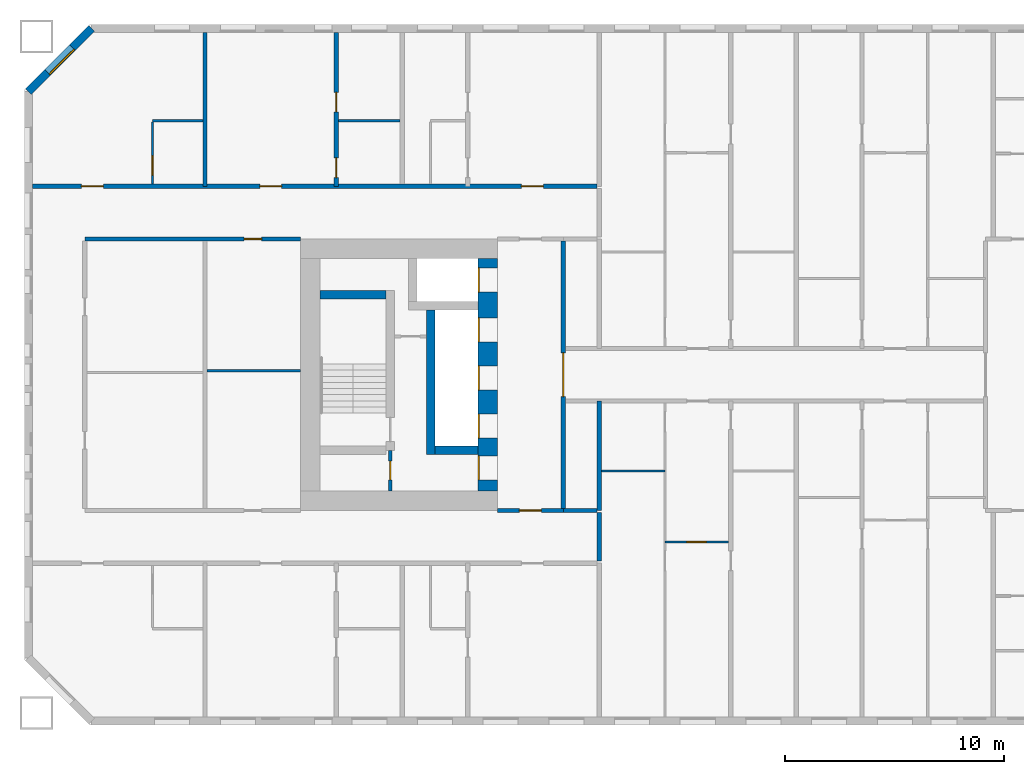
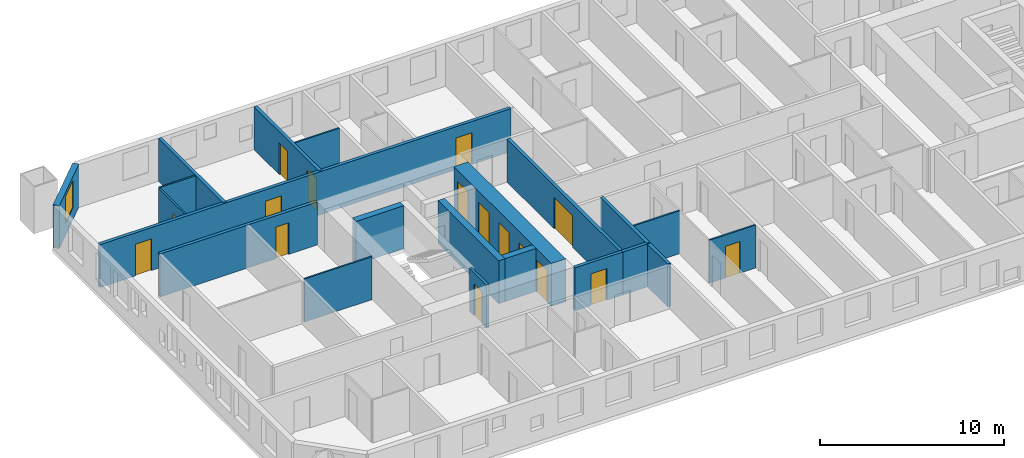
# One storey, part 4 of 17: 21 walls, 16 doors, 1 window, 17 openings.
"""IFC4 building model written with IfcOpenShell, lengths in metres."""

from ifc_helpers import new_model, si_unit, direction, frame, frame_2d, origin, place, context, subcontext, project, spatial, rectangle, extrude, material, layer, layer_set, type_object, element, fill, save


model = new_model("IFC4")

# Units and contexts
model_context = context("Model", 3, precision=1e-05, world=origin(), true_north=direction((0.0, 1.0)))
body_context = subcontext(model_context, "Body", "Model", "MODEL_VIEW")
ifc_project = project(units=[si_unit("LENGTHUNIT", "METRE"), si_unit("AREAUNIT", "SQUARE_METRE"), si_unit("VOLUMEUNIT", "CUBIC_METRE"), si_unit("PLANEANGLEUNIT", "RADIAN"), si_unit("MASSUNIT", "GRAM", prefix="KILO")], contexts=[model_context])

# Site, building, storey
site_placement = place(None, origin())
site = spatial("IfcSite", under=ifc_project, at=site_placement, CompositionType="ELEMENT")
building_placement = place(site_placement, origin())
building = spatial("IfcBuilding", under=site, at=building_placement, Name="Tuart Gate Housing", CompositionType="ELEMENT")
storey_placement = place(building_placement, frame((0.0, 0.0, 25.699951171875)))
storey = spatial("IfcBuildingStorey", under=building, at=storey_placement, Name="L06", CompositionType="ELEMENT", Elevation=25.699951171875)

# Wall, opening, window
ifc_material_1 = material(Name="Brick", Category="masonry")
ifc_layer_1 = layer(ifc_material_1, 0.360107421875)
ifc_layer_set_1 = layer_set([ifc_layer_1], Name="Brick pier and spandrel wall 360")
wall_type_1 = type_object("IfcWallType", Name="Brick pier and spandrel wall 360", PredefinedType="STANDARD", material=ifc_layer_set_1)
wall_1_placement = place(storey_placement, frame((22.82470703125, 85.820068359375, 0.0), z_axis=(0.0, 0.0, 1.0), x_axis=(-0.707106781187, -0.707106781187, 0.0)))
wall_1 = element("IfcWall", 1, at=wall_1_placement, inside=storey, type_object=wall_type_1, Name="External wall A-NW L06", PredefinedType="STANDARD", context=body_context, shape_type="SweptSolid", body=[
    extrude(rectangle(XDim=4.09375, YDim=0.360107421875, at=frame_2d((2.046875, 0.0))), origin(), (0.0, 0.0, 1.0), 2.85009765625),
])
opening_1_placement = place(wall_1_placement, frame((1.2470703125, 0.0, 0.800048828125)))
opening_1 = element("IfcOpeningElement", 2, at=opening_1_placement, cuts=wall_1, Name="Opening W1", PredefinedType="OPENING", context=body_context, shape_type="SweptSolid", body=[
    extrude(rectangle(XDim=1.60009765625, YDim=1.800048828125, at=frame_2d((0.800048828125, 0.89990234375))), frame((0.0, 0.18994140625, 0.0), z_axis=(0.0, -1.0, 0.0), x_axis=(1.0, 0.0, 0.0)), (0.0, 0.0, 1.0), 0.380126953125),
])
ifc_material_2 = material(Name="Aluminium frame with clear glass", Category="aluminium")
window_type = type_object("IfcWindowType", Name="Punched window 1600 x 1800", PartitioningType="SINGLE_PANEL", PredefinedType="WINDOW", material=ifc_material_2)
window_placement = place(opening_1_placement, origin())
window = element("IfcWindow", 3, at=window_placement, inside=storey, type_object=window_type, Name="Window W1", OverallHeight=1.800048828125, OverallWidth=1.60009765625, PartitioningType="SINGLE_PANEL", PredefinedType="WINDOW", context=body_context, shape_type="SweptSolid", body=[
    extrude(rectangle(XDim=1.60009765625, YDim=1.800048828125, at=frame_2d((0.800048828125, 0.89990234375))), frame((0.0, 0.150146484375, 0.0), z_axis=(0.0, -1.0, 0.0), x_axis=(1.0, 0.0, 0.0)), (0.0, 0.0, 1.0), 0.06005859375),
])
fill(opening_1, window)

# Wall, opening, door
ifc_material_3 = material(Name="Plasterboard partition")
ifc_layer_2 = layer(ifc_material_3, 0.14990234375)
ifc_layer_set_2 = layer_set([ifc_layer_2], Name="Core partition 150")
wall_type_2 = type_object("IfcWallType", Name="Core partition 150", PredefinedType="PARTITIONING", material=ifc_layer_set_2)
wall_2_placement = place(storey_placement, frame((36.4599609375, 66.550048828125, 0.0), z_axis=(0.0, 0.0, 1.0), x_axis=(0.0, -1.0, 0.0)))
wall_2 = element("IfcWall", 4, at=wall_2_placement, inside=storey, type_object=wall_type_2, Name="Core partition AK.9", PredefinedType="PARTITIONING", context=body_context, shape_type="SweptSolid", body=[
    extrude(rectangle(XDim=1.85009765625, YDim=0.14990234375, at=frame_2d((0.925048828125, 0.0))), origin(), (0.0, 0.0, 1.0), 2.85009765625),
])
opening_2_placement = place(wall_2_placement, frame((0.5, 0.0, 0.0)))
opening_2 = element("IfcOpeningElement", 5, at=opening_2_placement, cuts=wall_2, Name="Opening D382", PredefinedType="OPENING", context=body_context, shape_type="SweptSolid", body=[
    extrude(rectangle(XDim=0.85009765625, YDim=2.10009765625, at=frame_2d((0.425048828125, 1.050048828125))), frame((0.0, 0.0849609375, 0.0), z_axis=(0.0, -1.0, 0.0), x_axis=(1.0, 0.0, 0.0)), (0.0, 0.0, 1.0), 0.169921875),
])
ifc_material_4 = material(Name="Steel fire door", Category="steel")
door_type_1 = type_object("IfcDoorType", Name="Service door 850 x 2100 RH", OperationType="SINGLE_SWING_RIGHT", PredefinedType="DOOR", material=ifc_material_4)
door_1_placement = place(opening_2_placement, frame((0.85009765625, 0.0, 0.0), z_axis=(0.0, 0.0, 1.0), x_axis=(-1.0, 0.0, 0.0)))
door_1 = element("IfcDoor", 6, at=door_1_placement, inside=storey, type_object=door_type_1, Name="Service room door AK.ST", OperationType="SINGLE_SWING_RIGHT", OverallHeight=2.10009765625, OverallWidth=0.85009765625, PredefinedType="DOOR", context=body_context, shape_type="SweptSolid", body=[
    extrude(rectangle(XDim=0.85009765625, YDim=2.10009765625, at=frame_2d((0.425048828125, 1.050048828125))), frame((0.0, 0.025146484375, 0.0), z_axis=(0.0, -1.0, 0.0), x_axis=(1.0, 0.0, 0.0)), (0.0, 0.0, 1.0), 0.050048828125),
])
fill(opening_2, door_1)

# Walls
ifc_material_5 = material(Name="Concrete C60", Category="concrete")
ifc_layer_3 = layer(ifc_material_5, 0.39990234375)
ifc_layer_set_3 = layer_set([ifc_layer_3], Name="Core wall 400 C60")
wall_type_3 = type_object("IfcWallType", Name="Core wall 400 C60", PredefinedType="SHEAR", material=ifc_layer_set_3)
wall_3_placement = place(storey_placement, frame((36.260009765625, 73.64990234375, 0.0), z_axis=(0.0, 0.0, 1.0), x_axis=(-1.0, 0.0, 0.0)))
element("IfcWall", 7, at=wall_3_placement, inside=storey, type_object=wall_type_3, Name="Core wall AK.1", PredefinedType="SHEAR", context=body_context, shape_type="SweptSolid", body=[
    extrude(rectangle(XDim=3.0, YDim=0.39990234375, at=frame_2d((1.5, 0.0))), origin(), (0.0, 0.0, 1.0), 2.85009765625),
])
wall_4_placement = place(storey_placement, frame((40.4599609375, 66.550048828125, 0.0), z_axis=(0.0, 0.0, 1.0), x_axis=(-1.0, 0.0, 0.0)))
element("IfcWall", 8, at=wall_4_placement, inside=storey, type_object=wall_type_3, Name="Core wall AK.4", PredefinedType="SHEAR", context=body_context, shape_type="SweptSolid", body=[
    extrude(rectangle(XDim=1.949951171875, YDim=0.39990234375, at=frame_2d((0.97509765625, 0.0))), origin(), (0.0, 0.0, 1.0), 2.85009765625),
])
wall_5_placement = place(storey_placement, frame((38.31005859375, 72.949951171875, 0.0), z_axis=(0.0, 0.0, 1.0), x_axis=(0.0, -1.0, 0.0)))
element("IfcWall", 9, at=wall_5_placement, inside=storey, type_object=wall_type_3, Name="Core wall AK.6", PredefinedType="SHEAR", context=body_context, shape_type="SweptSolid", body=[
    extrude(rectangle(XDim=6.599853515625, YDim=0.39990234375, at=frame_2d((3.2998046875, 0.0))), origin(), (0.0, 0.0, 1.0), 2.85009765625),
])

# Wall, openings, doors
ifc_material_6 = material(Name="Concrete C60", Category="concrete")
ifc_layer_4 = layer(ifc_material_6, 0.89990234375)
ifc_layer_set_4 = layer_set([ifc_layer_4], Name="Core wall 900 C60")
wall_type_4 = type_object("IfcWallType", Name="Core wall 900 C60", PredefinedType="SHEAR", material=ifc_layer_set_4)
wall_6_placement = place(storey_placement, frame((40.909912109375, 75.300048828125, 0.0), z_axis=(0.0, 0.0, 1.0), x_axis=(0.0, -1.0, 0.0)))
wall_6 = element("IfcWall", 10, at=wall_6_placement, inside=storey, type_object=wall_type_4, Name="Core wall AK front", PredefinedType="SHEAR", context=body_context, shape_type="SweptSolid", body=[
    extrude(rectangle(XDim=10.60009765625, YDim=0.89990234375, at=frame_2d((5.300048828125, 0.0))), origin(), (0.0, 0.0, 1.0), 2.85009765625),
])
opening_3_placement = place(wall_6_placement, frame((0.425048828125, 0.0, 0.0)))
opening_3 = element("IfcOpeningElement", 11, at=opening_3_placement, cuts=wall_6, Name="Opening LD-FA2", PredefinedType="OPENING", context=body_context, shape_type="SweptSolid", body=[
    extrude(rectangle(XDim=1.10009765625, YDim=2.10009765625, at=frame_2d((0.550048828125, 1.050048828125))), frame((0.0, 0.4599609375, 0.0), z_axis=(0.0, -1.0, 0.0), x_axis=(1.0, 0.0, 0.0)), (0.0, 0.0, 1.0), 0.919921875),
])
opening_4_placement = place(wall_6_placement, frame((2.699951171875, 0.0, 0.0)))
opening_4 = element("IfcOpeningElement", 12, at=opening_4_placement, cuts=wall_6, Name="Opening LD-LA4", PredefinedType="OPENING", context=body_context, shape_type="SweptSolid", body=[
    extrude(rectangle(XDim=1.10009765625, YDim=2.10009765625, at=frame_2d((0.550048828125, 1.050048828125))), frame((0.0, 0.4599609375, 0.0), z_axis=(0.0, -1.0, 0.0), x_axis=(1.0, 0.0, 0.0)), (0.0, 0.0, 1.0), 0.919921875),
])
opening_5_placement = place(wall_6_placement, frame((4.89990234375, 0.0, 0.0)))
opening_5 = element("IfcOpeningElement", 13, at=opening_5_placement, cuts=wall_6, Name="Opening LD-LA5", PredefinedType="OPENING", context=body_context, shape_type="SweptSolid", body=[
    extrude(rectangle(XDim=1.10009765625, YDim=2.10009765625, at=frame_2d((0.550048828125, 1.050048828125))), frame((0.0, 0.4599609375, 0.0), z_axis=(0.0, -1.0, 0.0), x_axis=(1.0, 0.0, 0.0)), (0.0, 0.0, 1.0), 0.919921875),
])
opening_6_placement = place(wall_6_placement, frame((7.10009765625, 0.0, 0.0)))
opening_6 = element("IfcOpeningElement", 14, at=opening_6_placement, cuts=wall_6, Name="Opening LD-LA6", PredefinedType="OPENING", context=body_context, shape_type="SweptSolid", body=[
    extrude(rectangle(XDim=1.10009765625, YDim=2.10009765625, at=frame_2d((0.550048828125, 1.050048828125))), frame((0.0, 0.4599609375, 0.0), z_axis=(0.0, -1.0, 0.0), x_axis=(1.0, 0.0, 0.0)), (0.0, 0.0, 1.0), 0.919921875),
])
opening_7_placement = place(wall_6_placement, frame((9.0, 0.0, 0.0)))
opening_7 = element("IfcOpeningElement", 15, at=opening_7_placement, cuts=wall_6, Name="Opening D375", PredefinedType="OPENING", context=body_context, shape_type="SweptSolid", body=[
    extrude(rectangle(XDim=1.10009765625, YDim=2.10009765625, at=frame_2d((0.550048828125, 1.050048828125))), frame((0.0, 0.4599609375, 0.0), z_axis=(0.0, -1.0, 0.0), x_axis=(1.0, 0.0, 0.0)), (0.0, 0.0, 1.0), 0.919921875),
])
ifc_material_7 = material(Name="Stainless steel", Category="steel")
door_type_2 = type_object("IfcDoorType", Name="Landing door 1100 x 2100", OperationType="DOUBLE_DOOR_SLIDING", PredefinedType="DOOR", material=ifc_material_7)
door_2_placement = place(opening_3_placement, origin())
door_2 = element("IfcDoor", 16, at=door_2_placement, inside=storey, type_object=door_type_2, Name="Lift landing door FA2", OperationType="DOUBLE_DOOR_SLIDING", OverallHeight=2.10009765625, OverallWidth=1.10009765625, PredefinedType="DOOR", context=body_context, shape_type="SweptSolid", body=[
    extrude(rectangle(XDim=1.10009765625, YDim=2.10009765625, at=frame_2d((0.550048828125, 1.050048828125))), frame((0.0, -0.384765625, 0.0), z_axis=(0.0, -1.0, 0.0), x_axis=(1.0, 0.0, 0.0)), (0.0, 0.0, 1.0), 0.050048828125),
])
fill(opening_3, door_2)
door_3_placement = place(opening_4_placement, origin())
door_3 = element("IfcDoor", 17, at=door_3_placement, inside=storey, type_object=door_type_2, Name="Lift landing door LA4", OperationType="DOUBLE_DOOR_SLIDING", OverallHeight=2.10009765625, OverallWidth=1.10009765625, PredefinedType="DOOR", context=body_context, shape_type="SweptSolid", body=[
    extrude(rectangle(XDim=1.10009765625, YDim=2.10009765625, at=frame_2d((0.550048828125, 1.050048828125))), frame((0.0, -0.384765625, 0.0), z_axis=(0.0, -1.0, 0.0), x_axis=(1.0, 0.0, 0.0)), (0.0, 0.0, 1.0), 0.050048828125),
])
fill(opening_4, door_3)
door_4_placement = place(opening_5_placement, origin())
door_4 = element("IfcDoor", 18, at=door_4_placement, inside=storey, type_object=door_type_2, Name="Lift landing door LA5", OperationType="DOUBLE_DOOR_SLIDING", OverallHeight=2.10009765625, OverallWidth=1.10009765625, PredefinedType="DOOR", context=body_context, shape_type="SweptSolid", body=[
    extrude(rectangle(XDim=1.10009765625, YDim=2.10009765625, at=frame_2d((0.550048828125, 1.050048828125))), frame((0.0, -0.384765625, 0.0), z_axis=(0.0, -1.0, 0.0), x_axis=(1.0, 0.0, 0.0)), (0.0, 0.0, 1.0), 0.050048828125),
])
fill(opening_5, door_4)
door_5_placement = place(opening_6_placement, origin())
door_5 = element("IfcDoor", 19, at=door_5_placement, inside=storey, type_object=door_type_2, Name="Lift landing door LA6", OperationType="DOUBLE_DOOR_SLIDING", OverallHeight=2.10009765625, OverallWidth=1.10009765625, PredefinedType="DOOR", context=body_context, shape_type="SweptSolid", body=[
    extrude(rectangle(XDim=1.10009765625, YDim=2.10009765625, at=frame_2d((0.550048828125, 1.050048828125))), frame((0.0, -0.384765625, 0.0), z_axis=(0.0, -1.0, 0.0), x_axis=(1.0, 0.0, 0.0)), (0.0, 0.0, 1.0), 0.050048828125),
])
fill(opening_6, door_5)
ifc_material_8 = material(Name="Steel fire door", Category="steel")
door_type_3 = type_object("IfcDoorType", Name="Lobby door 1100 x 2100 RH", OperationType="SINGLE_SWING_RIGHT", PredefinedType="DOOR", material=ifc_material_8)
door_6_placement = place(opening_7_placement, frame((1.10009765625, 0.0, 0.0), z_axis=(0.0, 0.0, 1.0), x_axis=(-1.0, 0.0, 0.0)))
door_6 = element("IfcDoor", 20, at=door_6_placement, inside=storey, type_object=door_type_3, Name="Lobby entry door AK.EN", OperationType="SINGLE_SWING_RIGHT", OverallHeight=2.10009765625, OverallWidth=1.10009765625, PredefinedType="DOOR", context=body_context, shape_type="SweptSolid", body=[
    extrude(rectangle(XDim=1.10009765625, YDim=2.10009765625, at=frame_2d((0.550048828125, 1.050048828125))), frame((0.0, 0.434814453125, 0.0), z_axis=(0.0, -1.0, 0.0), x_axis=(1.0, 0.0, 0.0)), (0.0, 0.0, 1.0), 0.050048828125),
])
fill(opening_7, door_6)

# Wall
ifc_material_9 = material(Name="Concrete masonry 15 MPa", Category="masonry")
ifc_layer_5 = layer(ifc_material_9, 0.199951171875)
ifc_layer_set_5 = layer_set([ifc_layer_5], Name="Corridor wall masonry 200")
wall_type_5 = type_object("IfcWallType", Name="Corridor wall masonry 200", PredefinedType="PARTITIONING", material=ifc_layer_set_5)
wall_7_placement = place(storey_placement, frame((44.360107421875, 63.800048828125, 0.0), z_axis=(0.0, 0.0, 1.0), x_axis=(1.0, 0.0, 0.0)))
element("IfcWall", 21, at=wall_7_placement, inside=storey, type_object=wall_type_5, Name="Corridor wall masonry 200", PredefinedType="PARTITIONING", context=body_context, shape_type="SweptSolid", body=[
    extrude(rectangle(XDim=1.539794921875, YDim=0.199951171875, at=frame_2d((0.77001953125, 0.0))), origin(), (0.0, 0.0, 1.0), 2.85009765625),
])

# Wall, opening, door
wall_8_placement = place(storey_placement, frame((22.510009765625, 76.199951171875, 0.0), z_axis=(0.0, 0.0, 1.0), x_axis=(1.0, 0.0, 0.0)))
wall_8 = element("IfcWall", 22, at=wall_8_placement, inside=storey, type_object=wall_type_5, Name="Corridor wall masonry 200", PredefinedType="PARTITIONING", context=body_context, shape_type="SweptSolid", body=[
    extrude(rectangle(XDim=9.85009765625, YDim=0.199951171875, at=frame_2d((4.925048828125, 0.0))), origin(), (0.0, 0.0, 1.0), 2.85009765625),
])
opening_8_placement = place(wall_8_placement, frame((7.27001953125, 0.0, 0.0)))
opening_8 = element("IfcOpeningElement", 23, at=opening_8_placement, cuts=wall_8, Name="Opening D365", PredefinedType="OPENING", context=body_context, shape_type="SweptSolid", body=[
    extrude(rectangle(XDim=0.800048828125, YDim=2.10009765625, at=frame_2d((0.39990234375, 1.050048828125))), frame((0.0, 0.10986328125, 0.0), z_axis=(0.0, -1.0, 0.0), x_axis=(1.0, 0.0, 0.0)), (0.0, 0.0, 1.0), 0.219970703125),
])
ifc_material_10 = material(Name="Timber door leaf in steel frame", Category="steel")
door_type_4 = type_object("IfcDoorType", Name="Store door 800 RH", OperationType="SINGLE_SWING_RIGHT", PredefinedType="DOOR", material=ifc_material_10)
door_7_placement = place(opening_8_placement, frame((0.800048828125, 0.0, 0.0), z_axis=(0.0, 0.0, 1.0), x_axis=(-1.0, 0.0, 0.0)))
door_7 = element("IfcDoor", 24, at=door_7_placement, inside=storey, type_object=door_type_4, Name="Store door", OperationType="SINGLE_SWING_RIGHT", OverallHeight=2.10009765625, OverallWidth=0.800048828125, PredefinedType="DOOR", context=body_context, shape_type="SweptSolid", body=[
    extrude(rectangle(XDim=0.800048828125, YDim=2.10009765625, at=frame_2d((0.400146484375, 1.050048828125))), frame((0.0, 0.025146484375, 0.0), z_axis=(0.0, -1.0, 0.0), x_axis=(1.0, 0.0, 0.0)), (0.0, 0.0, 1.0), 0.050048828125),
])
fill(opening_8, door_7)

# Wall, openings, doors
wall_9_placement = place(storey_placement, frame((20.110107421875, 78.60009765625, 0.0), z_axis=(0.0, 0.0, 1.0), x_axis=(1.0, 0.0, 0.0)))
wall_9 = element("IfcWall", 25, at=wall_9_placement, inside=storey, type_object=wall_type_5, Name="Corridor wall masonry 200", PredefinedType="PARTITIONING", context=body_context, shape_type="SweptSolid", body=[
    extrude(rectangle(XDim=25.789794921875, YDim=0.199951171875, at=frame_2d((12.89501953125, 0.0))), origin(), (0.0, 0.0, 1.0), 2.85009765625),
])
opening_9_placement = place(wall_9_placement, frame((22.340087890625, 0.0, 0.0)))
opening_9 = element("IfcOpeningElement", 26, at=opening_9_placement, cuts=wall_9, Name="Opening D354", PredefinedType="OPENING", context=body_context, shape_type="SweptSolid", body=[
    extrude(rectangle(XDim=1.0, YDim=2.10009765625, at=frame_2d((0.5, 1.050048828125))), frame((0.0, 0.10986328125, 0.0), z_axis=(0.0, -1.0, 0.0), x_axis=(1.0, 0.0, 0.0)), (0.0, 0.0, 1.0), 0.219970703125),
])
opening_10_placement = place(wall_9_placement, frame((10.389892578125, 0.0, 0.0)))
opening_10 = element("IfcOpeningElement", 27, at=opening_10_placement, cuts=wall_9, Name="Opening D355", PredefinedType="OPENING", context=body_context, shape_type="SweptSolid", body=[
    extrude(rectangle(XDim=1.0, YDim=2.10009765625, at=frame_2d((0.5, 1.050048828125))), frame((0.0, 0.10986328125, 0.0), z_axis=(0.0, -1.0, 0.0), x_axis=(1.0, 0.0, 0.0)), (0.0, 0.0, 1.0), 0.219970703125),
])
opening_11_placement = place(wall_9_placement, frame((2.2451171875, 0.0, 0.0)))
opening_11 = element("IfcOpeningElement", 28, at=opening_11_placement, cuts=wall_9, Name="Opening D356", PredefinedType="OPENING", context=body_context, shape_type="SweptSolid", body=[
    extrude(rectangle(XDim=1.0, YDim=2.10009765625, at=frame_2d((0.5, 1.050048828125))), frame((0.0, 0.10986328125, 0.0), z_axis=(0.0, -1.0, 0.0), x_axis=(1.0, 0.0, 0.0)), (0.0, 0.0, 1.0), 0.219970703125),
])
ifc_material_11 = material(Name="Timber door leaf in steel frame", Category="steel")
door_type_5 = type_object("IfcDoorType", Name="Flat entrance door 1000", OperationType="SINGLE_SWING_LEFT", PredefinedType="DOOR", material=ifc_material_11)
door_8_placement = place(opening_9_placement, origin())
door_8 = element("IfcDoor", 29, at=door_8_placement, inside=storey, type_object=door_type_5, Name="Flat entrance door", OperationType="SINGLE_SWING_LEFT", OverallHeight=2.10009765625, OverallWidth=1.0, PredefinedType="DOOR", context=body_context, shape_type="SweptSolid", body=[
    extrude(rectangle(XDim=1.0, YDim=2.10009765625, at=frame_2d((0.5, 1.050048828125))), frame((0.0, 0.02490234375, 0.0), z_axis=(0.0, -1.0, 0.0), x_axis=(1.0, 0.0, 0.0)), (0.0, 0.0, 1.0), 0.050048828125),
])
fill(opening_9, door_8)
door_9_placement = place(opening_10_placement, origin())
door_9 = element("IfcDoor", 30, at=door_9_placement, inside=storey, type_object=door_type_5, Name="Flat entrance door", OperationType="SINGLE_SWING_LEFT", OverallHeight=2.10009765625, OverallWidth=1.0, PredefinedType="DOOR", context=body_context, shape_type="SweptSolid", body=[
    extrude(rectangle(XDim=1.0, YDim=2.10009765625, at=frame_2d((0.5, 1.050048828125))), frame((0.0, 0.02490234375, 0.0), z_axis=(0.0, -1.0, 0.0), x_axis=(1.0, 0.0, 0.0)), (0.0, 0.0, 1.0), 0.050048828125),
])
fill(opening_10, door_9)
door_10_placement = place(opening_11_placement, origin())
door_10 = element("IfcDoor", 31, at=door_10_placement, inside=storey, type_object=door_type_5, Name="Flat entrance door", OperationType="SINGLE_SWING_LEFT", OverallHeight=2.10009765625, OverallWidth=1.0, PredefinedType="DOOR", context=body_context, shape_type="SweptSolid", body=[
    extrude(rectangle(XDim=1.0, YDim=2.10009765625, at=frame_2d((0.5, 1.050048828125))), frame((0.0, 0.02490234375, 0.0), z_axis=(0.0, -1.0, 0.0), x_axis=(1.0, 0.0, 0.0)), (0.0, 0.0, 1.0), 0.050048828125),
])
fill(opening_11, door_10)

# Wall
wall_10_placement = place(storey_placement, frame((46.0, 61.5, 0.0), z_axis=(0.0, 0.0, 1.0), x_axis=(0.0, 1.0, 0.0)))
element("IfcWall", 32, at=wall_10_placement, inside=storey, type_object=wall_type_5, Name="Corridor wall masonry 200", PredefinedType="PARTITIONING", context=body_context, shape_type="SweptSolid", body=[
    extrude(rectangle(XDim=2.199951171875, YDim=0.199951171875, at=frame_2d((1.10009765625, 0.0))), origin(), (0.0, 0.0, 1.0), 2.85009765625),
])

# Wall, opening, door
ifc_material_12 = material(Name="Concrete masonry 15 MPa", Category="masonry")
ifc_layer_6 = layer(ifc_material_12, 0.199951171875)
ifc_layer_set_6 = layer_set([ifc_layer_6], Name="Enclosure wall masonry 200")
wall_type_6 = type_object("IfcWallType", Name="Enclosure wall masonry 200", PredefinedType="PARTITIONING", material=ifc_layer_set_6)
wall_11_placement = place(storey_placement, frame((41.360107421875, 63.800048828125, 0.0), z_axis=(0.0, 0.0, 1.0), x_axis=(1.0, 0.0, 0.0)))
wall_11 = element("IfcWall", 33, at=wall_11_placement, inside=storey, type_object=wall_type_6, Name="Enclosure wall masonry 200", PredefinedType="PARTITIONING", context=body_context, shape_type="SweptSolid", body=[
    extrude(rectangle(XDim=3.0, YDim=0.199951171875, at=frame_2d((1.5, 0.0))), origin(), (0.0, 0.0, 1.0), 2.85009765625),
])
opening_12_placement = place(wall_11_placement, frame((1.0, 0.0, 0.0)))
opening_12 = element("IfcOpeningElement", 34, at=opening_12_placement, cuts=wall_11, Name="Opening D385", PredefinedType="OPENING", context=body_context, shape_type="SweptSolid", body=[
    extrude(rectangle(XDim=1.0, YDim=2.10009765625, at=frame_2d((0.5, 1.050048828125))), frame((0.0, 0.10986328125, 0.0), z_axis=(0.0, -1.0, 0.0), x_axis=(1.0, 0.0, 0.0)), (0.0, 0.0, 1.0), 0.219970703125),
])
ifc_material_13 = material(Name="Timber door leaf in steel frame", Category="steel")
door_type_6 = type_object("IfcDoorType", Name="Fire door 1000", OperationType="SINGLE_SWING_LEFT", PredefinedType="DOOR", material=ifc_material_13)
door_11_placement = place(opening_12_placement, frame((1.0, 0.0, 0.0), z_axis=(0.0, 0.0, 1.0), x_axis=(-1.0, 0.0, 0.0)))
door_11 = element("IfcDoor", 35, at=door_11_placement, inside=storey, type_object=door_type_6, Name="Fire door", OperationType="SINGLE_SWING_LEFT", OverallHeight=2.10009765625, OverallWidth=1.0, PredefinedType="DOOR", context=body_context, shape_type="SweptSolid", body=[
    extrude(rectangle(XDim=1.0, YDim=2.10009765625, at=frame_2d((0.5, 1.050048828125))), frame((0.0, 0.025146484375, 0.0), z_axis=(0.0, -1.0, 0.0), x_axis=(1.0, 0.0, 0.0)), (0.0, 0.0, 1.0), 0.050048828125),
])
fill(opening_12, door_11)

ifc_material_14 = material(Name="Plasterboard partition")
ifc_layer_7 = layer(ifc_material_14, 0.199951171875)
ifc_layer_set_7 = layer_set([ifc_layer_7], Name="Lobby wall 200")
wall_type_7 = type_object("IfcWallType", Name="Lobby wall 200", PredefinedType="PARTITIONING", material=ifc_layer_set_7)
wall_12_placement = place(storey_placement, frame((44.360107421875, 63.89990234375, 0.0), z_axis=(0.0, 0.0, 1.0), x_axis=(0.0, 1.0, 0.0)))
wall_12 = element("IfcWall", 36, at=wall_12_placement, inside=storey, type_object=wall_type_7, Name="Lift lobby wall AK", PredefinedType="PARTITIONING", context=body_context, shape_type="SweptSolid", body=[
    extrude(rectangle(XDim=12.2001953125, YDim=0.199951171875, at=frame_2d((6.10009765625, 0.0))), origin(), (0.0, 0.0, 1.0), 2.85009765625),
])
opening_13_placement = place(wall_12_placement, frame((5.10009765625, 0.0, 0.0)))
opening_13 = element("IfcOpeningElement", 37, at=opening_13_placement, cuts=wall_12, Name="Opening D376", PredefinedType="OPENING", context=body_context, shape_type="SweptSolid", body=[
    extrude(rectangle(XDim=2.0, YDim=2.10009765625, at=frame_2d((1.0, 1.050048828125))), frame((0.0, 0.10986328125, 0.0), z_axis=(0.0, -1.0, 0.0), x_axis=(1.0, 0.0, 0.0)), (0.0, 0.0, 1.0), 0.219970703125),
])
ifc_material_15 = material(Name="Steel fire door", Category="steel")
door_type_7 = type_object("IfcDoorType", Name="Smoke door 2000 x 2100", OperationType="DOUBLE_DOOR_SINGLE_SWING", PredefinedType="DOOR", material=ifc_material_15)
door_12_placement = place(opening_13_placement, origin())
door_12 = element("IfcDoor", 38, at=door_12_placement, inside=storey, type_object=door_type_7, Name="Lift lobby smoke door AK", OperationType="DOUBLE_DOOR_SINGLE_SWING", OverallHeight=2.10009765625, OverallWidth=2.0, PredefinedType="DOOR", context=body_context, shape_type="SweptSolid", body=[
    extrude(rectangle(XDim=2.0, YDim=2.10009765625, at=frame_2d((1.0, 1.050048828125))), frame((0.0, 0.02490234375, 0.0), z_axis=(0.0, -1.0, 0.0), x_axis=(1.0, 0.0, 0.0)), (0.0, 0.0, 1.0), 0.050048828125),
])
fill(opening_13, door_12)

ifc_material_16 = material(Name="Gypsum board on steel studs", Category="steel")
ifc_layer_8 = layer(ifc_material_16, 0.10009765625)
ifc_layer_set_8 = layer_set([ifc_layer_8], Name="Partition 100")
wall_type_8 = type_object("IfcWallType", Name="Partition 100", PredefinedType="PARTITIONING", material=ifc_layer_set_8)
wall_13_placement = place(storey_placement, frame((49.0, 62.360107421875, 0.0), z_axis=(0.0, 0.0, 1.0), x_axis=(1.0, 0.0, 0.0)))
wall_13 = element("IfcWall", 39, at=wall_13_placement, inside=storey, type_object=wall_type_8, Name="Partition 100", PredefinedType="PARTITIONING", context=body_context, shape_type="SweptSolid", body=[
    extrude(rectangle(XDim=2.89990234375, YDim=0.10009765625, at=frame_2d((1.449951171875, 0.0))), origin(), (0.0, 0.0, 1.0), 2.85009765625),
])
opening_14_placement = place(wall_13_placement, frame((1.0, 0.0, 0.0)))
opening_14 = element("IfcOpeningElement", 40, at=opening_14_placement, cuts=wall_13, Name="Opening D388", PredefinedType="OPENING", context=body_context, shape_type="SweptSolid", body=[
    extrude(rectangle(XDim=0.89990234375, YDim=2.10009765625, at=frame_2d((0.449951171875, 1.050048828125))), frame((0.0, 0.06005859375, 0.0), z_axis=(0.0, -1.0, 0.0), x_axis=(1.0, 0.0, 0.0)), (0.0, 0.0, 1.0), 0.1201171875),
])
ifc_material_17 = material(Name="Timber door leaf in steel frame", Category="steel")
door_type_8 = type_object("IfcDoorType", Name="Internal door 900", OperationType="SINGLE_SWING_LEFT", PredefinedType="DOOR", material=ifc_material_17)
door_13_placement = place(opening_14_placement, origin())
door_13 = element("IfcDoor", 41, at=door_13_placement, inside=storey, type_object=door_type_8, Name="Internal door", OperationType="SINGLE_SWING_LEFT", OverallHeight=2.10009765625, OverallWidth=0.89990234375, PredefinedType="DOOR", context=body_context, shape_type="SweptSolid", body=[
    extrude(rectangle(XDim=0.89990234375, YDim=2.10009765625, at=frame_2d((0.449951171875, 1.050048828125))), frame((0.0, 0.02490234375, 0.0), z_axis=(0.0, -1.0, 0.0), x_axis=(1.0, 0.0, 0.0)), (0.0, 0.0, 1.0), 0.050048828125),
])
fill(opening_14, door_13)

# Walls
wall_14_placement = place(storey_placement, frame((46.10009765625, 65.60009765625, 0.0), z_axis=(0.0, 0.0, 1.0), x_axis=(1.0, 0.0, 0.0)))
element("IfcWall", 42, at=wall_14_placement, inside=storey, type_object=wall_type_8, Name="Partition 100", PredefinedType="PARTITIONING", context=body_context, shape_type="SweptSolid", body=[
    extrude(rectangle(XDim=2.89990234375, YDim=0.10009765625, at=frame_2d((1.449951171875, 0.0))), origin(), (0.0, 0.0, 1.0), 2.85009765625),
])
wall_15_placement = place(storey_placement, frame((28.10009765625, 70.179931640625, 0.0), z_axis=(0.0, 0.0, 1.0), x_axis=(1.0, 0.0, 0.0)))
element("IfcWall", 43, at=wall_15_placement, inside=storey, type_object=wall_type_8, Name="Partition 100", PredefinedType="PARTITIONING", context=body_context, shape_type="SweptSolid", body=[
    extrude(rectangle(XDim=4.260009765625, YDim=0.10009765625, at=frame_2d((2.1298828125, 0.0))), origin(), (0.0, 0.0, 1.0), 2.85009765625),
])
wall_16_placement = place(storey_placement, frame((25.60009765625, 81.60009765625, 0.0), z_axis=(0.0, 0.0, 1.0), x_axis=(1.0, 0.0, 0.0)))
element("IfcWall", 44, at=wall_16_placement, inside=storey, type_object=wall_type_8, Name="Partition 100", PredefinedType="PARTITIONING", context=body_context, shape_type="SweptSolid", body=[
    extrude(rectangle(XDim=2.2998046875, YDim=0.10009765625, at=frame_2d((1.14990234375, 0.0))), origin(), (0.0, 0.0, 1.0), 2.85009765625),
])
wall_17_placement = place(storey_placement, frame((34.10009765625, 81.60009765625, 0.0), z_axis=(0.0, 0.0, 1.0), x_axis=(1.0, 0.0, 0.0)))
element("IfcWall", 45, at=wall_17_placement, inside=storey, type_object=wall_type_8, Name="Partition 100", PredefinedType="PARTITIONING", context=body_context, shape_type="SweptSolid", body=[
    extrude(rectangle(XDim=2.7998046875, YDim=0.10009765625, at=frame_2d((1.39990234375, 0.0))), origin(), (0.0, 0.0, 1.0), 2.85009765625),
])

# Wall, opening, door
wall_18_placement = place(storey_placement, frame((25.60009765625, 78.699951171875, 0.0), z_axis=(0.0, 0.0, 1.0), x_axis=(0.0, 1.0, 0.0)))
wall_18 = element("IfcWall", 46, at=wall_18_placement, inside=storey, type_object=wall_type_8, Name="Partition 100", PredefinedType="PARTITIONING", context=body_context, shape_type="SweptSolid", body=[
    extrude(rectangle(XDim=2.85009765625, YDim=0.10009765625, at=frame_2d((1.425048828125, 0.0))), origin(), (0.0, 0.0, 1.0), 2.85009765625),
])
opening_15_placement = place(wall_18_placement, frame((0.39990234375, 0.0, 0.0)))
opening_15 = element("IfcOpeningElement", 47, at=opening_15_placement, cuts=wall_18, Name="Opening D351", PredefinedType="OPENING", context=body_context, shape_type="SweptSolid", body=[
    extrude(rectangle(XDim=0.89990234375, YDim=2.10009765625, at=frame_2d((0.449951171875, 1.050048828125))), frame((0.0, 0.06005859375, 0.0), z_axis=(0.0, -1.0, 0.0), x_axis=(1.0, 0.0, 0.0)), (0.0, 0.0, 1.0), 0.1201171875),
])
ifc_material_18 = material(Name="Timber door leaf in steel frame", Category="steel")
door_type_9 = type_object("IfcDoorType", Name="Bathroom door 900 RH", OperationType="SINGLE_SWING_RIGHT", PredefinedType="DOOR", material=ifc_material_18)
door_14_placement = place(opening_15_placement, frame((0.89990234375, 0.0, 0.0), z_axis=(0.0, 0.0, 1.0), x_axis=(-1.0, 0.0, 0.0)))
door_14 = element("IfcDoor", 48, at=door_14_placement, inside=storey, type_object=door_type_9, Name="Bathroom door", OperationType="SINGLE_SWING_RIGHT", OverallHeight=2.10009765625, OverallWidth=0.89990234375, PredefinedType="DOOR", context=body_context, shape_type="SweptSolid", body=[
    extrude(rectangle(XDim=0.89990234375, YDim=2.10009765625, at=frame_2d((0.449951171875, 1.050048828125))), frame((0.0, 0.025146484375, 0.0), z_axis=(0.0, -1.0, 0.0), x_axis=(1.0, 0.0, 0.0)), (0.0, 0.0, 1.0), 0.050048828125),
])
fill(opening_15, door_14)

# Wall
ifc_material_19 = material(Name="Concrete C40", Category="concrete")
ifc_layer_9 = layer(ifc_material_19, 0.199951171875)
ifc_layer_set_9 = layer_set([ifc_layer_9], Name="Party wall concrete C40 200")
wall_type_9 = type_object("IfcWallType", Name="Party wall concrete C40 200", PredefinedType="SOLIDWALL", material=ifc_layer_set_9)
wall_19_placement = place(storey_placement, frame((28.0, 78.60009765625, 0.0), z_axis=(0.0, 0.0, 1.0), x_axis=(0.0, 1.0, 0.0)))
element("IfcWall", 49, at=wall_19_placement, inside=storey, type_object=wall_type_9, Name="Party wall concrete C40 200", PredefinedType="SOLIDWALL", context=body_context, shape_type="SweptSolid", body=[
    extrude(rectangle(XDim=7.039794921875, YDim=0.199951171875, at=frame_2d((3.52001953125, 0.0))), origin(), (0.0, 0.0, 1.0), 2.85009765625),
])

# Wall, openings, doors
wall_20_placement = place(storey_placement, frame((34.0, 78.60009765625, 0.0), z_axis=(0.0, 0.0, 1.0), x_axis=(0.0, 1.0, 0.0)))
wall_20 = element("IfcWall", 50, at=wall_20_placement, inside=storey, type_object=wall_type_9, Name="Party wall concrete C40 200", PredefinedType="SOLIDWALL", context=body_context, shape_type="SweptSolid", body=[
    extrude(rectangle(XDim=7.039794921875, YDim=0.199951171875, at=frame_2d((3.52001953125, 0.0))), origin(), (0.0, 0.0, 1.0), 2.85009765625),
])
opening_16_placement = place(wall_20_placement, frame((3.39990234375, 0.0, 0.0)))
opening_16 = element("IfcOpeningElement", 51, at=opening_16_placement, cuts=wall_20, Name="Opening D344", PredefinedType="OPENING", context=body_context, shape_type="SweptSolid", body=[
    extrude(rectangle(XDim=0.89990234375, YDim=2.10009765625, at=frame_2d((0.449951171875, 1.050048828125))), frame((0.0, 0.10986328125, 0.0), z_axis=(0.0, -1.0, 0.0), x_axis=(1.0, 0.0, 0.0)), (0.0, 0.0, 1.0), 0.219970703125),
])
opening_17_placement = place(wall_20_placement, frame((0.39990234375, 0.0, 0.0)))
opening_17 = element("IfcOpeningElement", 52, at=opening_17_placement, cuts=wall_20, Name="Opening D343", PredefinedType="OPENING", context=body_context, shape_type="SweptSolid", body=[
    extrude(rectangle(XDim=0.89990234375, YDim=2.10009765625, at=frame_2d((0.449951171875, 1.050048828125))), frame((0.0, 0.10986328125, 0.0), z_axis=(0.0, -1.0, 0.0), x_axis=(1.0, 0.0, 0.0)), (0.0, 0.0, 1.0), 0.219970703125),
])
door_15_placement = place(opening_17_placement, frame((0.89990234375, 0.0, 0.0), z_axis=(0.0, 0.0, 1.0), x_axis=(-1.0, 0.0, 0.0)))
door_15 = element("IfcDoor", 53, at=door_15_placement, inside=storey, type_object=door_type_9, Name="Bathroom door", OperationType="SINGLE_SWING_RIGHT", OverallHeight=2.10009765625, OverallWidth=0.89990234375, PredefinedType="DOOR", context=body_context, shape_type="SweptSolid", body=[
    extrude(rectangle(XDim=0.89990234375, YDim=2.10009765625, at=frame_2d((0.449951171875, 1.050048828125))), frame((0.0, 0.025146484375, 0.0), z_axis=(0.0, -1.0, 0.0), x_axis=(1.0, 0.0, 0.0)), (0.0, 0.0, 1.0), 0.050048828125),
])
fill(opening_17, door_15)
ifc_material_20 = material(Name="Timber door leaf in steel frame", Category="steel")
door_type_10 = type_object("IfcDoorType", Name="Internal door 900 RH", OperationType="SINGLE_SWING_RIGHT", PredefinedType="DOOR", material=ifc_material_20)
door_16_placement = place(opening_16_placement, frame((0.89990234375, 0.0, 0.0), z_axis=(0.0, 0.0, 1.0), x_axis=(-1.0, 0.0, 0.0)))
door_16 = element("IfcDoor", 54, at=door_16_placement, inside=storey, type_object=door_type_10, Name="Internal door", OperationType="SINGLE_SWING_RIGHT", OverallHeight=2.10009765625, OverallWidth=0.89990234375, PredefinedType="DOOR", context=body_context, shape_type="SweptSolid", body=[
    extrude(rectangle(XDim=0.89990234375, YDim=2.10009765625, at=frame_2d((0.449951171875, 1.050048828125))), frame((0.0, 0.025146484375, 0.0), z_axis=(0.0, -1.0, 0.0), x_axis=(1.0, 0.0, 0.0)), (0.0, 0.0, 1.0), 0.050048828125),
])
fill(opening_16, door_16)

# Wall
wall_21_placement = place(storey_placement, frame((46.0, 63.800048828125, 0.0), z_axis=(0.0, 0.0, 1.0), x_axis=(0.0, 1.0, 0.0)))
element("IfcWall", 55, at=wall_21_placement, inside=storey, type_object=wall_type_9, Name="Party wall concrete C40 200", PredefinedType="SOLIDWALL", context=body_context, shape_type="SweptSolid", body=[
    extrude(rectangle(XDim=5.0, YDim=0.199951171875, at=frame_2d((2.5, 0.0))), origin(), (0.0, 0.0, 1.0), 2.85009765625),
])

save(model, "model.ifc")
